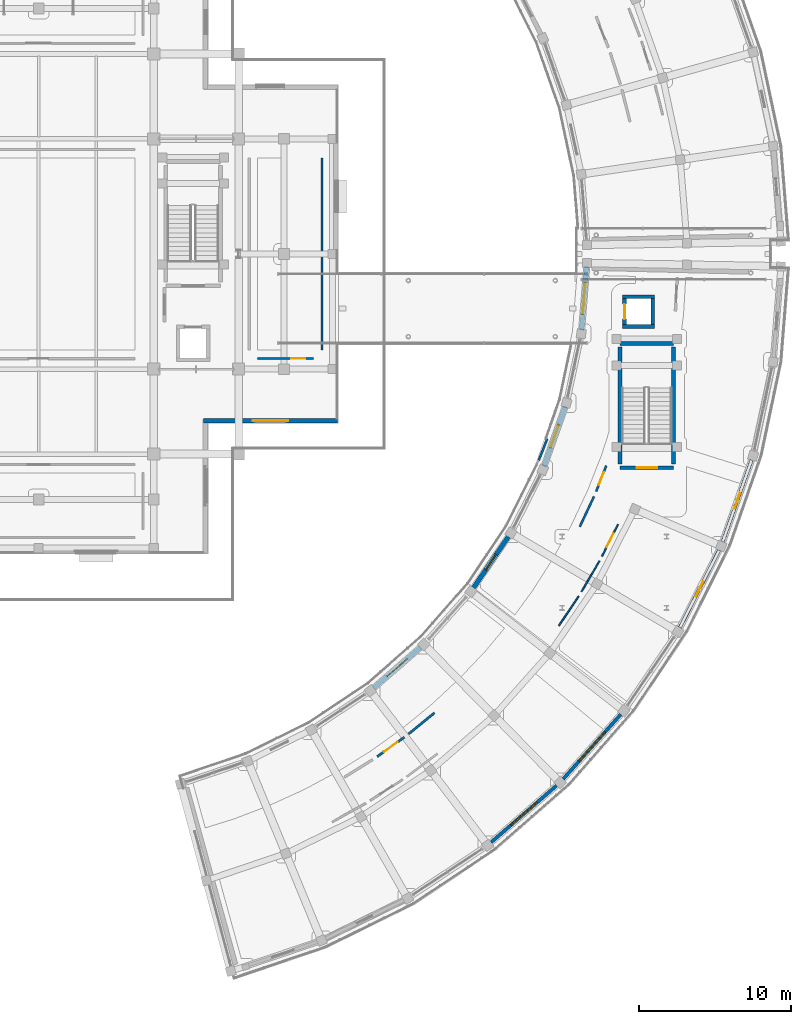
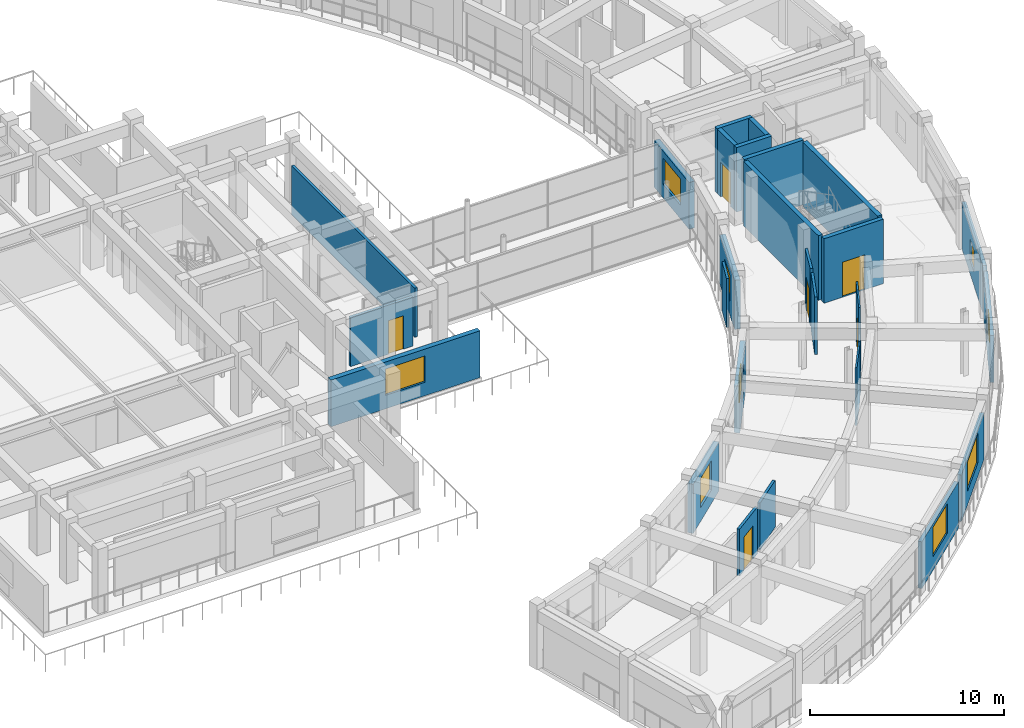
# One storey, part 50 of 72: 27 walls, 9 windows, 6 doors, 15 openings.
"""IFC4 building model written with IfcOpenShell, lengths in metres."""

import ifcopenshell
import ifcopenshell.guid

model = None  # the IFC model being written
_history = None  # IfcOwnerHistory: only IFC2X3 demands one
_inside = {}  # id of a spatial element -> (the spatial element, [elements in it])
_under = {}  # id of a project, library or spatial element -> (it, [spatial elements below it])
_declared = {}  # id of a project -> (the project, [libraries it declares])
_typed = {}  # id of a type object -> (the type object, [elements of that type])
_made_of = {}  # id of a material, layer set ... -> (it, [elements and type objects made of it])


def new_model(schema):
    """Start an empty IFC model of exactly this schema.

    Asked for "IFC4X3", IfcOpenShell would pick the latest addendum, in which some entities
    have other attributes; the version numbers below select the first issue.
    IFC2X3 requires an IfcOwnerHistory on every rooted entity: one is made here for all.
    """
    global model, _history
    if schema == "IFC4X3":
        model = ifcopenshell.file(schema_version=(4, 3, 0, 0))
    else:
        model = ifcopenshell.file(schema=schema)
    _inside.clear()
    _under.clear()
    _declared.clear()
    _typed.clear()
    _made_of.clear()
    _history = None
    if model.schema == "IFC2X3":
        org = make("IfcOrganization", Name="unknown")
        user = make(
            "IfcPersonAndOrganization",
            ThePerson=make("IfcPerson", FamilyName="unknown"),
            TheOrganization=org,
        )
        app = make(
            "IfcApplication",
            ApplicationDeveloper=org,
            Version="unknown",
            ApplicationFullName="unknown",
            ApplicationIdentifier="unknown",
        )
        _history = make(
            "IfcOwnerHistory",
            OwningUser=user,
            OwningApplication=app,
            ChangeAction="ADDED",
            CreationDate=0,
        )
    return model


def make(cls, **values):
    """One entity of the class cls with the attributes given. An attribute that is None is left unset."""
    return model.create_entity(
        cls, **{name: value for name, value in values.items() if value is not None}
    )


def rooted(cls, **values):
    """An entity with a GlobalId (a new one), such as an element, a storey or a relation."""
    return make(cls, GlobalId=ifcopenshell.guid.new(), OwnerHistory=_history, **values)


def si_unit(unit_type, name, prefix=None):
    """IfcSIUnit, for example si_unit("LENGTHUNIT", "METRE", prefix="MILLI")."""
    return make("IfcSIUnit", UnitType=unit_type, Prefix=prefix, Name=name)


def assignment(units):
    """IfcUnitAssignment: the units of a project."""
    return None if units is None else make("IfcUnitAssignment", Units=units)


def point(xyz):
    """IfcCartesianPoint."""
    return None if xyz is None else make("IfcCartesianPoint", Coordinates=xyz)


def direction(xyz):
    """IfcDirection."""
    return None if xyz is None else make("IfcDirection", DirectionRatios=xyz)


def frame(location, z_axis=None, x_axis=None):
    """IfcAxis2Placement3D, a coordinate frame: its origin and axes. An axis left out is left unset."""
    return make(
        "IfcAxis2Placement3D",
        Location=point(location),
        Axis=direction(z_axis),
        RefDirection=direction(x_axis),
    )


def frame_2d(location, x_axis=None):
    """IfcAxis2Placement2D, a coordinate frame in the plane: its origin and x axis."""
    return make(
        "IfcAxis2Placement2D", Location=point(location), RefDirection=direction(x_axis)
    )


def origin():
    """The frame at (0, 0, 0) with its axes left unset."""
    return frame((0.0, 0.0, 0.0))


def place(relative_to, where):
    """IfcLocalPlacement: puts the frame where relative to a parent placement (None: the world)."""
    return make(
        "IfcLocalPlacement", PlacementRelTo=relative_to, RelativePlacement=where
    )


def context(
    kind, dimensions, precision=None, world=None, true_north=None, identifier=None
):
    """IfcGeometricRepresentationContext, for example the 3D "Model" context."""
    return make(
        "IfcGeometricRepresentationContext",
        ContextIdentifier=identifier,
        ContextType=kind,
        CoordinateSpaceDimension=dimensions,
        Precision=precision,
        WorldCoordinateSystem=world,
        TrueNorth=true_north,
    )


def subcontext(parent, identifier, kind, view, scale=None):
    """IfcGeometricRepresentationSubContext, for example "Body" below "Model"."""
    return make(
        "IfcGeometricRepresentationSubContext",
        ContextIdentifier=identifier,
        ContextType=kind,
        ParentContext=parent,
        TargetScale=scale,
        TargetView=view,
    )


def project(units=None, contexts=None):
    """IfcProject with its units and contexts."""
    return rooted(
        "IfcProject",
        Name="project",
        RepresentationContexts=contexts,
        UnitsInContext=assignment(units),
    )


def spatial(cls, under=None, at=None, **own):
    """A site, building, storey or space (cls), placed at a placement, below another one or the project."""
    s = rooted(cls, ObjectPlacement=at, **own)
    if under is not None:
        _under.setdefault(under.id(), (under, []))[1].append(s)
    return s


def profile(cls, at=None, kind="AREA", **sizes):
    """A parametric profile (cls). Its sizes go by their IFC names, for example OverallWidth=200.0."""
    return make(cls, ProfileType=kind, Position=at, **sizes)


def rectangle(**sizes):
    """IfcRectangleProfileDef."""
    return profile("IfcRectangleProfileDef", **sizes)


def extrude(swept, where, along, depth):
    """IfcExtrudedAreaSolid: the profile swept, set in the frame where, extruded along a direction by depth."""
    return make(
        "IfcExtrudedAreaSolid",
        SweptArea=swept,
        Position=where,
        ExtrudedDirection=direction(along),
        Depth=depth,
    )


def shape(context_of_items, identifier, shape_type, items):
    """IfcShapeRepresentation: the items that make up one representation, for example the "Body"."""
    return make(
        "IfcShapeRepresentation",
        ContextOfItems=context_of_items,
        RepresentationIdentifier=identifier,
        RepresentationType=shape_type,
        Items=items,
    )


def material(Name=None, Category=None):
    """IfcMaterial."""
    return make("IfcMaterial", Name=Name, Category=Category)


def layer(
    of_material, thickness, ventilated=None, Name=None, Category=None, Priority=None
):
    """IfcMaterialLayer: one layer of a wall or slab, of a material (None: an air gap)."""
    return make(
        "IfcMaterialLayer",
        Material=of_material,
        LayerThickness=thickness,
        IsVentilated=ventilated,
        Name=Name,
        Category=Category,
        Priority=Priority,
    )


def layer_set(layers, Name=None):
    """IfcMaterialLayerSet."""
    return make("IfcMaterialLayerSet", MaterialLayers=layers, LayerSetName=Name)


def made_of(thing, what):
    """Note that an element or type object is made of a material, layer set ...; save() writes the relation."""
    if what is not None:
        _made_of.setdefault(what.id(), (what, []))[1].append(thing)
    return thing


def type_object(cls, material=None, **own):
    """A type object (cls), such as IfcWallType, which elements share."""
    return made_of(rooted(cls, **own), material)


def element(
    cls,
    number,
    at=None,
    inside=None,
    cuts=None,
    type_object=None,
    material=None,
    context=None,
    identifier="Body",
    shape_type=None,
    held_by="IfcProductDefinitionShape",
    body=None,
    shapes=None,
    **own,
):
    """One element of the class cls, such as IfcWall. Its Tag is "e" and its number.

    at: its placement. inside: the storey or other place that contains it. cuts: it is an
    opening in that element (IfcRelVoidsElement). A single representation is given by context,
    identifier, shape_type and body (its items); several are given by shapes. held_by: the class
    of the entity that holds the representations. save() writes the other relations.
    """
    e = rooted(cls, Tag="e%d" % number, ObjectPlacement=at, **own)
    if body is not None:
        shapes = [shape(context, identifier, shape_type, body)]
    if shapes is not None:
        e.Representation = make(held_by, Representations=shapes)
    if inside is not None:
        _inside.setdefault(inside.id(), (inside, []))[1].append(e)
    if cuts is not None:
        rooted(
            "IfcRelVoidsElement", RelatingBuildingElement=cuts, RelatedOpeningElement=e
        )
    if type_object is not None:
        _typed.setdefault(type_object.id(), (type_object, []))[1].append(e)
    return made_of(e, material)


def fill(opening, filler):
    """IfcRelFillsElement: the door or window that sits in an opening."""
    return rooted(
        "IfcRelFillsElement",
        RelatingOpeningElement=opening,
        RelatedBuildingElement=filler,
    )


def aggregate(whole, parts):
    """IfcRelAggregates: a whole, such as a stair, and the parts it consists of."""
    return rooted("IfcRelAggregates", RelatingObject=whole, RelatedObjects=parts)


def save(model, path):
    """Write the relations noted so far, then the file.

    IfcRelAggregates (storeys below a building ...), IfcRelContainedInSpatialStructure (elements
    in a storey), IfcRelDefinesByType, IfcRelAssociatesMaterial and IfcRelDeclares: one each for
    every whole, place, type object, material and project.
    """
    for whole, parts in _under.values():
        aggregate(whole, parts)
    for where, things in _inside.values():
        rooted(
            "IfcRelContainedInSpatialStructure",
            RelatedElements=things,
            RelatingStructure=where,
        )
    for kind, things in _typed.values():
        rooted("IfcRelDefinesByType", RelatedObjects=things, RelatingType=kind)
    for what, things in _made_of.values():
        rooted("IfcRelAssociatesMaterial", RelatedObjects=things, RelatingMaterial=what)
    for by, libraries in _declared.values():
        rooted("IfcRelDeclares", RelatingContext=by, RelatedDefinitions=libraries)
    model.write(path)


model = new_model("IFC4")

# Units and contexts
model_context = context("Model", 3, precision=1e-05, world=origin(), true_north=direction((0.0, 1.0)))
body_context = subcontext(model_context, "Body", "Model", "MODEL_VIEW")
ifc_project = project(units=[si_unit("LENGTHUNIT", "METRE"), si_unit("AREAUNIT", "SQUARE_METRE"), si_unit("VOLUMEUNIT", "CUBIC_METRE"), si_unit("PLANEANGLEUNIT", "RADIAN"), si_unit("MASSUNIT", "GRAM", prefix="KILO")], contexts=[model_context])

# Site, building, storey
site_placement = place(None, origin())
site = spatial("IfcSite", under=ifc_project, at=site_placement, CompositionType="ELEMENT")
building_placement = place(site_placement, origin())
building = spatial("IfcBuilding", under=site, at=building_placement, Name="Saryqyr Civic Hall", CompositionType="ELEMENT")
storey_placement = place(building_placement, frame((0.0, 0.0, 17.25)))
storey = spatial("IfcBuildingStorey", under=building, at=storey_placement, Name="L04", CompositionType="ELEMENT", Elevation=17.25)

# Wall, opening, window
ifc_material_1 = material(Name="Precast concrete C40/50", Category="concrete")
ifc_layer_1 = layer(ifc_material_1, 0.219970703125, Name="Precast concrete C40/50")
ifc_layer_set_1 = layer_set([ifc_layer_1], Name="Precast concrete C40/50")
wall_type_1 = type_object("IfcWallType", Name="ENV-WAL-EXT-220", PredefinedType="STANDARD", material=ifc_layer_set_1)
wall_1_placement = place(storey_placement, frame((91.1826171875, 48.9189453125, 0.0), z_axis=(0.0, 0.0, 1.0), x_axis=(-0.755648143479, -0.654977773101, 0.0)))
wall_1 = element("IfcWall", 1, at=wall_1_placement, inside=storey, type_object=wall_type_1, Name="Exterior wall V5-EWO-L04-03", PredefinedType="STANDARD", context=body_context, shape_type="SweptSolid", body=[
    extrude(rectangle(XDim=5.706298828125, YDim=0.219970703125, at=frame_2d((2.85302734375, 0.0))), origin(), (0.0, 0.0, 1.0), 2.93505859375),
])
opening_1_placement = place(wall_1_placement, frame((1.702880859375, 0.0, 0.85009765625)))
opening_1 = element("IfcOpeningElement", 2, at=opening_1_placement, cuts=wall_1, Name="Opening W-29", PredefinedType="OPENING", context=body_context, shape_type="SweptSolid", body=[
    extrude(rectangle(XDim=2.300048828125, YDim=1.85009765625, at=frame_2d((1.14990234375, 0.925048828125))), frame((0.0, 0.119873046875, 0.0), z_axis=(0.0, -1.0, 0.0), x_axis=(1.0, 0.0, 0.0)), (0.0, 0.0, 1.0), 0.239990234375),
])
ifc_material_2 = material(Name="Anodised aluminium and triple low-E glass", Category="aluminium")
window_type_1 = type_object("IfcWindowType", Name="ENV-WIN-W29", PartitioningType="SINGLE_PANEL", PredefinedType="WINDOW", material=ifc_material_2)
window_1_placement = place(opening_1_placement, origin())
window_1 = element("IfcWindow", 3, at=window_1_placement, inside=storey, type_object=window_type_1, Name="Exterior ribbon window V5-L04-03", OverallHeight=1.85009765625, OverallWidth=2.300048828125, PartitioningType="SINGLE_PANEL", PredefinedType="WINDOW", context=body_context, shape_type="SweptSolid", body=[
    extrude(rectangle(XDim=2.300048828125, YDim=1.85009765625, at=frame_2d((1.14990234375, 0.925048828125))), frame((0.0, 0.030029296875, 0.0), z_axis=(0.0, -1.0, 0.0), x_axis=(1.0, 0.0, 0.0)), (0.0, 0.0, 1.0), 0.06005859375),
])
fill(opening_1, window_1)

wall_2_placement = place(storey_placement, frame((95.41650390625, 53.614501953125, 0.0), z_axis=(0.0, 0.0, 1.0), x_axis=(-0.6649220167, -0.746912787217, 0.0)))
wall_2 = element("IfcWall", 4, at=wall_2_placement, inside=storey, type_object=wall_type_1, Name="Exterior wall V5-EWO-L04-04", PredefinedType="STANDARD", context=body_context, shape_type="SweptSolid", body=[
    extrude(rectangle(XDim=5.69921875, YDim=0.219970703125, at=frame_2d((2.849609375, 0.0))), origin(), (0.0, 0.0, 1.0), 2.93505859375),
])
opening_2_placement = place(wall_2_placement, frame((1.550048828125, 0.0, 0.85009765625)))
opening_2 = element("IfcOpeningElement", 5, at=opening_2_placement, cuts=wall_2, Name="Opening W-30", PredefinedType="OPENING", context=body_context, shape_type="SweptSolid", body=[
    extrude(rectangle(XDim=2.60009765625, YDim=1.85009765625, at=frame_2d((1.300048828125, 0.925048828125))), frame((0.0, 0.119873046875, 0.0), z_axis=(0.0, -1.0, 0.0), x_axis=(1.0, 0.0, 0.0)), (0.0, 0.0, 1.0), 0.239990234375),
])
window_type_2 = type_object("IfcWindowType", Name="ENV-WIN-W30", PartitioningType="SINGLE_PANEL", PredefinedType="WINDOW", material=ifc_material_2)
window_2_placement = place(opening_2_placement, origin())
window_2 = element("IfcWindow", 6, at=window_2_placement, inside=storey, type_object=window_type_2, Name="Exterior ribbon window V5-L04-04", OverallHeight=1.85009765625, OverallWidth=2.60009765625, PartitioningType="SINGLE_PANEL", PredefinedType="WINDOW", context=body_context, shape_type="SweptSolid", body=[
    extrude(rectangle(XDim=2.60009765625, YDim=1.85009765625, at=frame_2d((1.300048828125, 0.925048828125))), frame((0.0, 0.030029296875, 0.0), z_axis=(0.0, -1.0, 0.0), x_axis=(1.0, 0.0, 0.0)), (0.0, 0.0, 1.0), 0.06005859375),
])
fill(opening_2, window_2)

wall_3_placement = place(storey_placement, frame((101.930419921875, 64.489501953125, 0.0), z_axis=(0.0, 0.0, 1.0), x_axis=(-0.451920591159, -0.892058170349, 0.0)))
wall_3 = element("IfcWall", 7, at=wall_3_placement, inside=storey, type_object=wall_type_1, Name="Exterior wall V5-EWO-L04-06", PredefinedType="STANDARD", context=body_context, shape_type="SweptSolid", body=[
    extrude(rectangle(XDim=5.801513671875, YDim=0.219970703125, at=frame_2d((2.90087890625, 0.0))), origin(), (0.0, 0.0, 1.0), 2.93505859375),
])
opening_3_placement = place(wall_3_placement, frame((2.35107421875, 0.0, 0.85009765625)))
opening_3 = element("IfcOpeningElement", 8, at=opening_3_placement, cuts=wall_3, Name="Opening W-01", PredefinedType="OPENING", context=body_context, shape_type="SweptSolid", body=[
    extrude(rectangle(XDim=1.10009765625, YDim=1.35009765625, at=frame_2d((0.550048828125, 0.675048828125))), frame((0.0, 0.119873046875, 0.0), z_axis=(0.0, -1.0, 0.0), x_axis=(1.0, 0.0, 0.0)), (0.0, 0.0, 1.0), 0.239990234375),
])
window_type_3 = type_object("IfcWindowType", Name="ENV-WIN-W01", PartitioningType="SINGLE_PANEL", PredefinedType="WINDOW", material=ifc_material_2)
window_3_placement = place(opening_3_placement, origin())
window_3 = element("IfcWindow", 9, at=window_3_placement, inside=storey, type_object=window_type_3, Name="Exterior ribbon window V5-L04-06", OverallHeight=1.35009765625, OverallWidth=1.10009765625, PartitioningType="SINGLE_PANEL", PredefinedType="WINDOW", context=body_context, shape_type="SweptSolid", body=[
    extrude(rectangle(XDim=1.10009765625, YDim=1.35009765625, at=frame_2d((0.550048828125, 0.675048828125))), frame((0.0, 0.030029296875, 0.0), z_axis=(0.0, -1.0, 0.0), x_axis=(1.0, 0.0, 0.0)), (0.0, 0.0, 1.0), 0.06005859375),
])
fill(opening_3, window_3)

wall_4_placement = place(storey_placement, frame((104.074951171875, 70.456298828125, 0.0), z_axis=(0.0, 0.0, 1.0), x_axis=(-0.333212182882, -0.942851865978, 0.0)))
wall_4 = element("IfcWall", 10, at=wall_4_placement, inside=storey, type_object=wall_type_1, Name="Exterior wall V5-EWO-L04-07", PredefinedType="STANDARD", context=body_context, shape_type="SweptSolid", body=[
    extrude(rectangle(XDim=5.830078125, YDim=0.219970703125, at=frame_2d((2.9150390625, 0.0))), origin(), (0.0, 0.0, 1.0), 2.93505859375),
])
opening_4_placement = place(wall_4_placement, frame((2.364990234375, 0.0, 0.85009765625)))
opening_4 = element("IfcOpeningElement", 11, at=opening_4_placement, cuts=wall_4, Name="Opening W-01", PredefinedType="OPENING", context=body_context, shape_type="SweptSolid", body=[
    extrude(rectangle(XDim=1.10009765625, YDim=1.35009765625, at=frame_2d((0.550048828125, 0.675048828125))), frame((0.0, 0.119873046875, 0.0), z_axis=(0.0, -1.0, 0.0), x_axis=(1.0, 0.0, 0.0)), (0.0, 0.0, 1.0), 0.239990234375),
])
window_4_placement = place(opening_4_placement, origin())
window_4 = element("IfcWindow", 12, at=window_4_placement, inside=storey, type_object=window_type_3, Name="Exterior ribbon window V5-L04-07", OverallHeight=1.35009765625, OverallWidth=1.10009765625, PartitioningType="SINGLE_PANEL", PredefinedType="WINDOW", context=body_context, shape_type="SweptSolid", body=[
    extrude(rectangle(XDim=1.10009765625, YDim=1.35009765625, at=frame_2d((0.550048828125, 0.675048828125))), frame((0.0, 0.030029296875, 0.0), z_axis=(0.0, -1.0, 0.0), x_axis=(1.0, 0.0, 0.0)), (0.0, 0.0, 1.0), 0.06005859375),
])
fill(opening_4, window_4)

ifc_layer_2 = layer(ifc_material_1, 0.2900390625, Name="Precast concrete C40/50")
ifc_layer_set_2 = layer_set([ifc_layer_2], Name="Precast concrete C40/50")
wall_type_2 = type_object("IfcWallType", Name="ENV-WAL-EXT-290", PredefinedType="STANDARD", material=ifc_layer_set_2)
wall_5_placement = place(storey_placement, frame((76.719970703125, 73.0, 0.0), z_axis=(0.0, 0.0, 1.0), x_axis=(-1.0, 0.0, 0.0)))
wall_5 = element("IfcWall", 13, at=wall_5_placement, inside=storey, type_object=wall_type_2, Name="Exterior wall V1-EW-L04-09", PredefinedType="STANDARD", context=body_context, shape_type="SweptSolid", body=[
    extrude(rectangle(XDim=8.840087890625, YDim=0.2900390625, at=frame_2d((4.419921875, 0.0))), origin(), (0.0, 0.0, 1.0), 2.93505859375),
])
opening_5_placement = place(wall_5_placement, frame((3.2451171875, 0.0, 0.85009765625)))
opening_5 = element("IfcOpeningElement", 14, at=opening_5_placement, cuts=wall_5, Name="Opening W-22", PredefinedType="OPENING", context=body_context, shape_type="SweptSolid", body=[
    extrude(rectangle(XDim=2.35009765625, YDim=1.64990234375, at=frame_2d((1.175048828125, 0.824951171875))), frame((0.0, 0.155029296875, 0.0), z_axis=(0.0, -1.0, 0.0), x_axis=(1.0, 0.0, 0.0)), (0.0, 0.0, 1.0), 0.31005859375),
])
window_type_4 = type_object("IfcWindowType", Name="ENV-WIN-W22", PartitioningType="SINGLE_PANEL", PredefinedType="WINDOW", material=ifc_material_2)
window_5_placement = place(opening_5_placement, origin())
window_5 = element("IfcWindow", 15, at=window_5_placement, inside=storey, type_object=window_type_4, Name="Chamber cluster window L04-09", OverallHeight=1.64990234375, OverallWidth=2.35009765625, PartitioningType="SINGLE_PANEL", PredefinedType="WINDOW", context=body_context, shape_type="SweptSolid", body=[
    extrude(rectangle(XDim=2.35009765625, YDim=1.64990234375, at=frame_2d((1.175048828125, 0.824951171875))), frame((0.0, 0.030029296875, 0.0), z_axis=(0.0, -1.0, 0.0), x_axis=(1.0, 0.0, 0.0)), (0.0, 0.0, 1.0), 0.06005859375),
])
fill(opening_5, window_5)

ifc_layer_3 = layer(ifc_material_1, 0.31005859375, Name="Precast concrete C40/50")
ifc_layer_set_3 = layer_set([ifc_layer_3], Name="Precast concrete C40/50")
wall_type_3 = type_object("IfcWallType", Name="ENV-WAL-EXT-310", PredefinedType="STANDARD", material=ifc_layer_set_3)
wall_6_placement = place(storey_placement, frame((79.12890625, 55.375, 0.0), z_axis=(0.0, 0.0, 1.0), x_axis=(0.755665234257, 0.654958054943, 0.0)))
wall_6 = element("IfcWall", 16, at=wall_6_placement, inside=storey, type_object=wall_type_3, Name="Exterior wall V5-EWI-L04-03", PredefinedType="STANDARD", context=body_context, shape_type="SweptSolid", body=[
    extrude(rectangle(XDim=4.053466796875, YDim=0.31005859375, at=frame_2d((2.02685546875, 0.0))), origin(), (0.0, 0.0, 1.0), 3.0849609375),
])
opening_6_placement = place(wall_6_placement, frame((1.152099609375, 0.0, 0.85009765625)))
opening_6 = element("IfcOpeningElement", 17, at=opening_6_placement, cuts=wall_6, Name="Opening W-27", PredefinedType="OPENING", context=body_context, shape_type="SweptSolid", body=[
    extrude(rectangle(XDim=1.75, YDim=1.85009765625, at=frame_2d((0.875, 0.925048828125))), frame((0.0, 0.1650390625, 0.0), z_axis=(0.0, -1.0, 0.0), x_axis=(1.0, 0.0, 0.0)), (0.0, 0.0, 1.0), 0.330078125),
])
window_type_5 = type_object("IfcWindowType", Name="ENV-WIN-W27", PartitioningType="SINGLE_PANEL", PredefinedType="WINDOW", material=ifc_material_2)
window_6_placement = place(opening_6_placement, origin())
window_6 = element("IfcWindow", 18, at=window_6_placement, inside=storey, type_object=window_type_5, Name="Courtyard window V5-L04-03", OverallHeight=1.85009765625, OverallWidth=1.75, PartitioningType="SINGLE_PANEL", PredefinedType="WINDOW", context=body_context, shape_type="SweptSolid", body=[
    extrude(rectangle(XDim=1.75, YDim=1.85009765625, at=frame_2d((0.875, 0.925048828125))), frame((0.0, 0.030029296875, 0.0), z_axis=(0.0, -1.0, 0.0), x_axis=(1.0, 0.0, 0.0)), (0.0, 0.0, 1.0), 0.06005859375),
])
fill(opening_6, window_6)

wall_7_placement = place(storey_placement, frame((85.69580078125, 61.96044921875, 0.0), z_axis=(0.0, 0.0, 1.0), x_axis=(0.56312281457, 0.826373218171, 0.0)))
wall_7 = element("IfcWall", 19, at=wall_7_placement, inside=storey, type_object=wall_type_3, Name="Exterior wall V5-EWI-L04-05", PredefinedType="STANDARD", context=body_context, shape_type="SweptSolid", body=[
    extrude(rectangle(XDim=4.1064453125, YDim=0.31005859375, at=frame_2d((2.05322265625, 0.0))), origin(), (0.0, 0.0, 1.0), 2.93505859375),
])
opening_7_placement = place(wall_7_placement, frame((1.452880859375, 0.0, 0.85009765625)))
opening_7 = element("IfcOpeningElement", 20, at=opening_7_placement, cuts=wall_7, Name="Opening W-17", PredefinedType="OPENING", context=body_context, shape_type="SweptSolid", body=[
    extrude(rectangle(XDim=1.199951171875, YDim=1.64990234375, at=frame_2d((0.60009765625, 0.824951171875))), frame((0.0, 0.1650390625, 0.0), z_axis=(0.0, -1.0, 0.0), x_axis=(1.0, 0.0, 0.0)), (0.0, 0.0, 1.0), 0.330078125),
])
window_type_6 = type_object("IfcWindowType", Name="ENV-WIN-W17", PartitioningType="SINGLE_PANEL", PredefinedType="WINDOW", material=ifc_material_2)
window_7_placement = place(opening_7_placement, origin())
window_7 = element("IfcWindow", 21, at=window_7_placement, inside=storey, type_object=window_type_6, Name="Courtyard window V5-L04-05", OverallHeight=1.64990234375, OverallWidth=1.199951171875, PartitioningType="SINGLE_PANEL", PredefinedType="WINDOW", context=body_context, shape_type="SweptSolid", body=[
    extrude(rectangle(XDim=1.199951171875, YDim=1.64990234375, at=frame_2d((0.60009765625, 0.824951171875))), frame((0.0, 0.030029296875, 0.0), z_axis=(0.0, -1.0, 0.0), x_axis=(1.0, 0.0, 0.0)), (0.0, 0.0, 1.0), 0.06005859375),
])
fill(opening_7, window_7)

wall_8_placement = place(storey_placement, frame((90.364501953125, 69.99462890625, 0.0), z_axis=(0.0, 0.0, 1.0), x_axis=(0.333168640656, 0.942867253055, 0.0)))
wall_8 = element("IfcWall", 22, at=wall_8_placement, inside=storey, type_object=wall_type_3, Name="Exterior wall V5-EWI-L04-07", PredefinedType="STANDARD", context=body_context, shape_type="SweptSolid", body=[
    extrude(rectangle(XDim=4.1767578125, YDim=0.31005859375, at=frame_2d((2.08837890625, 0.0))), origin(), (0.0, 0.0, 1.0), 3.0849609375),
])
opening_8_placement = place(wall_8_placement, frame((1.2880859375, 0.0, 0.85009765625)))
opening_8 = element("IfcOpeningElement", 23, at=opening_8_placement, cuts=wall_8, Name="Opening W-19", PredefinedType="OPENING", context=body_context, shape_type="SweptSolid", body=[
    extrude(rectangle(XDim=1.60009765625, YDim=1.64990234375, at=frame_2d((0.800048828125, 0.824951171875))), frame((0.0, 0.1650390625, 0.0), z_axis=(0.0, -1.0, 0.0), x_axis=(1.0, 0.0, 0.0)), (0.0, 0.0, 1.0), 0.330078125),
])
window_type_7 = type_object("IfcWindowType", Name="ENV-WIN-W19", PartitioningType="SINGLE_PANEL", PredefinedType="WINDOW", material=ifc_material_2)
window_8_placement = place(opening_8_placement, origin())
window_8 = element("IfcWindow", 24, at=window_8_placement, inside=storey, type_object=window_type_7, Name="Courtyard window V5-L04-07", OverallHeight=1.64990234375, OverallWidth=1.60009765625, PartitioningType="SINGLE_PANEL", PredefinedType="WINDOW", context=body_context, shape_type="SweptSolid", body=[
    extrude(rectangle(XDim=1.60009765625, YDim=1.64990234375, at=frame_2d((0.800048828125, 0.824951171875))), frame((0.0, 0.030029296875, 0.0), z_axis=(0.0, -1.0, 0.0), x_axis=(1.0, 0.0, 0.0)), (0.0, 0.0, 1.0), 0.06005859375),
])
fill(opening_8, window_8)

wall_9_placement = place(storey_placement, frame((92.8349609375, 78.974853515625, 0.0), z_axis=(0.0, 0.0, 1.0), x_axis=(0.081074723481, 0.99670802606, 0.0)))
wall_9 = element("IfcWall", 25, at=wall_9_placement, inside=storey, type_object=wall_type_3, Name="Exterior wall V5-EWI-L04-09", PredefinedType="STANDARD", context=body_context, shape_type="SweptSolid", body=[
    extrude(rectangle(XDim=4.203857421875, YDim=0.31005859375, at=frame_2d((2.10205078125, 0.0))), origin(), (0.0, 0.0, 1.0), 2.93505859375),
])
opening_9_placement = place(wall_9_placement, frame((1.052001953125, 0.0, 0.85009765625)))
opening_9 = element("IfcOpeningElement", 26, at=opening_9_placement, cuts=wall_9, Name="Opening W-21", PredefinedType="OPENING", context=body_context, shape_type="SweptSolid", body=[
    extrude(rectangle(XDim=2.10009765625, YDim=1.64990234375, at=frame_2d((1.050048828125, 0.824951171875))), frame((0.0, 0.1650390625, 0.0), z_axis=(0.0, -1.0, 0.0), x_axis=(1.0, 0.0, 0.0)), (0.0, 0.0, 1.0), 0.330078125),
])
window_type_8 = type_object("IfcWindowType", Name="ENV-WIN-W21", PartitioningType="SINGLE_PANEL", PredefinedType="WINDOW", material=ifc_material_2)
window_9_placement = place(opening_9_placement, origin())
window_9 = element("IfcWindow", 27, at=window_9_placement, inside=storey, type_object=window_type_8, Name="Courtyard window V5-L04-09", OverallHeight=1.64990234375, OverallWidth=2.10009765625, PartitioningType="SINGLE_PANEL", PredefinedType="WINDOW", context=body_context, shape_type="SweptSolid", body=[
    extrude(rectangle(XDim=2.10009765625, YDim=1.64990234375, at=frame_2d((1.050048828125, 0.824951171875))), frame((0.0, 0.030029296875, 0.0), z_axis=(0.0, -1.0, 0.0), x_axis=(1.0, 0.0, 0.0)), (0.0, 0.0, 1.0), 0.06005859375),
])
fill(opening_9, window_9)

# Wall
ifc_material_3 = material(Name="Lightweight demountable partition", Category="gypsum")
ifc_layer_4 = layer(ifc_material_3, 0.094970703125, Name="Lightweight demountable partition")
ifc_layer_set_4 = layer_set([ifc_layer_4], Name="Lightweight demountable partition")
wall_type_4 = type_object("IfcWallType", Name="INT-WAL-PRT-095", PredefinedType="PARTITIONING", material=ifc_layer_set_4)
wall_10_placement = place(storey_placement, frame((92.83349609375, 61.720947265625, 0.0), z_axis=(0.0, 0.0, 1.0), x_axis=(0.504228203008, 0.863570448366, 0.0)))
element("IfcWall", 28, at=wall_10_placement, inside=storey, type_object=wall_type_4, Name="Interior partition PRT-SP-V5-L04-R02-W1", PredefinedType="PARTITIONING", context=body_context, shape_type="SweptSolid", body=[
    extrude(rectangle(XDim=2.337158203125, YDim=0.094970703125, at=frame_2d((1.16845703125, 0.0))), origin(), (0.0, 0.0, 1.0), 2.93505859375),
])

# Wall, opening, door
wall_11_placement = place(storey_placement, frame((94.18359375, 64.0556640625, 0.0), z_axis=(0.0, 0.0, 1.0), x_axis=(0.448049117921, 0.894008941751, 0.0)))
wall_11 = element("IfcWall", 29, at=wall_11_placement, inside=storey, type_object=wall_type_4, Name="Interior partition PRT-SP-V5-L04-R02-W2", PredefinedType="PARTITIONING", context=body_context, shape_type="SweptSolid", body=[
    extrude(rectangle(XDim=2.337158203125, YDim=0.094970703125, at=frame_2d((1.16845703125, 0.0))), origin(), (0.0, 0.0, 1.0), 3.6201171875),
])
opening_10_placement = place(wall_11_placement, frame((0.6689453125, 0.0, 0.0)))
opening_10 = element("IfcOpeningElement", 30, at=opening_10_placement, cuts=wall_11, Name="Opening D-03", PredefinedType="OPENING", context=body_context, shape_type="SweptSolid", body=[
    extrude(rectangle(XDim=1.0, YDim=2.10009765625, at=frame_2d((0.5, 1.050048828125))), frame((0.0, 0.057373046875, 0.0), z_axis=(0.0, -1.0, 0.0), x_axis=(1.0, 0.0, 0.0)), (0.0, 0.0, 1.0), 0.114990234375),
])
ifc_material_4 = material(Name="Acoustic solid-core oak veneer", Category="wood")
door_type_1 = type_object("IfcDoorType", Name="INT-DR-D-03", OperationType="NOTDEFINED", PredefinedType="DOOR", material=ifc_material_4)
door_1_placement = place(opening_10_placement, origin())
door_1 = element("IfcDoor", 31, at=door_1_placement, inside=storey, type_object=door_type_1, Name="Interior door District Utilities & Seismic Directorate", OperationType="SINGLE_SWING_RIGHT", OverallHeight=2.10009765625, OverallWidth=1.0, PredefinedType="DOOR", context=body_context, shape_type="SweptSolid", body=[
    extrude(rectangle(XDim=1.0, YDim=2.10009765625, at=frame_2d((0.5, 1.050048828125))), frame((0.0, 0.02490234375, 0.0), z_axis=(0.0, -1.0, 0.0), x_axis=(1.0, 0.0, 0.0)), (0.0, 0.0, 1.0), 0.050048828125),
])
fill(opening_10, door_1)

# Wall
wall_12_placement = place(storey_placement, frame((91.337158203125, 59.4775390625, 0.0), z_axis=(0.0, 0.0, 1.0), x_axis=(0.558383281721, 0.829583094508, 0.0)))
element("IfcWall", 32, at=wall_12_placement, inside=storey, type_object=wall_type_4, Name="Interior partition PRT-SP-V5-L04-R02-W3", PredefinedType="PARTITIONING", context=body_context, shape_type="SweptSolid", body=[
    extrude(rectangle(XDim=2.3369140625, YDim=0.094970703125, at=frame_2d((1.16845703125, 0.0))), origin(), (0.0, 0.0, 1.0), 3.6201171875),
])

# Wall, opening, door
ifc_material_5 = material(Name="Metal-stud gypsum board partition", Category="gypsum")
ifc_layer_5 = layer(ifc_material_5, 0.139892578125, Name="Metal-stud gypsum board partition")
ifc_layer_set_5 = layer_set([ifc_layer_5], Name="Metal-stud gypsum board partition")
wall_type_5 = type_object("IfcWallType", Name="INT-WAL-PRT-140", PredefinedType="PARTITIONING", material=ifc_layer_set_5)
wall_13_placement = place(storey_placement, frame((94.466064453125, 70.029052734375, 0.0), z_axis=(0.0, 0.0, 1.0), x_axis=(-0.366384258343, -0.93046363456, 0.0)))
wall_13 = element("IfcWall", 33, at=wall_13_placement, inside=storey, type_object=wall_type_5, Name="Interior partition PRT-SP-V5-L04-R05-W1", PredefinedType="PARTITIONING", context=body_context, shape_type="SweptSolid", body=[
    extrude(rectangle(XDim=1.826416015625, YDim=0.139892578125, at=frame_2d((0.9130859375, 0.0))), origin(), (0.0, 0.0, 1.0), 3.6201171875),
])
opening_11_placement = place(wall_13_placement, frame((0.462890625, 0.0, 0.0)))
opening_11 = element("IfcOpeningElement", 34, at=opening_11_placement, cuts=wall_13, Name="Opening D-01", PredefinedType="OPENING", context=body_context, shape_type="SweptSolid", body=[
    extrude(rectangle(XDim=0.89990234375, YDim=2.10009765625, at=frame_2d((0.449951171875, 1.050048828125))), frame((0.0, 0.079833984375, 0.0), z_axis=(0.0, -1.0, 0.0), x_axis=(1.0, 0.0, 0.0)), (0.0, 0.0, 1.0), 0.159912109375),
])
door_type_2 = type_object("IfcDoorType", Name="INT-DR-D-01", OperationType="NOTDEFINED", PredefinedType="DOOR", material=ifc_material_4)
door_2_placement = place(opening_11_placement, origin())
door_2 = element("IfcDoor", 35, at=door_2_placement, inside=storey, type_object=door_type_2, Name="Interior door Records & Legislative Clerks' Office", OperationType="SINGLE_SWING_LEFT", OverallHeight=2.10009765625, OverallWidth=0.89990234375, PredefinedType="DOOR", context=body_context, shape_type="SweptSolid", body=[
    extrude(rectangle(XDim=0.89990234375, YDim=2.10009765625, at=frame_2d((0.449951171875, 1.050048828125))), frame((0.0, 0.02490234375, 0.0), z_axis=(0.0, -1.0, 0.0), x_axis=(1.0, 0.0, 0.0)), (0.0, 0.0, 1.0), 0.050048828125),
])
fill(opening_11, door_2)

# Walls
wall_14_placement = place(storey_placement, frame((93.654296875, 67.999267578125, 0.0), z_axis=(0.0, 0.0, 1.0), x_axis=(-0.425026094766, -0.905181097222, 0.0)))
element("IfcWall", 36, at=wall_14_placement, inside=storey, type_object=wall_type_5, Name="Interior partition PRT-SP-V5-L04-R05-W2", PredefinedType="PARTITIONING", context=body_context, shape_type="SweptSolid", body=[
    extrude(rectangle(XDim=2.196533203125, YDim=0.139892578125, at=frame_2d((1.09814453125, 0.0))), origin(), (0.0, 0.0, 1.0), 3.6201171875),
])
wall_15_placement = place(storey_placement, frame((90.002197265625, 70.368408203125, 0.0), z_axis=(0.0, 0.0, 1.0), x_axis=(0.366425549854, 0.930447374339, 0.0)))
element("IfcWall", 37, at=wall_15_placement, inside=storey, type_object=wall_type_5, Name="Interior partition PRT-SP-V5-L04-R05-W3", PredefinedType="PARTITIONING", context=body_context, shape_type="SweptSolid", body=[
    extrude(rectangle(XDim=1.552978515625, YDim=0.139892578125, at=frame_2d((0.7763671875, 0.0))), origin(), (0.0, 0.0, 1.0), 3.0849609375),
])

# Wall, opening, door
ifc_material_6 = material(Name="Acoustic double-stud gypsum board", Category="gypsum")
ifc_layer_6 = layer(ifc_material_6, 0.155029296875, Name="Acoustic double-stud gypsum board")
ifc_layer_set_6 = layer_set([ifc_layer_6], Name="Acoustic double-stud gypsum board")
wall_type_6 = type_object("IfcWallType", Name="INT-WAL-PRT-155", PredefinedType="PARTITIONING", material=ifc_layer_set_6)
wall_16_placement = place(storey_placement, frame((81.134765625, 52.108154296875, 0.0), z_axis=(0.0, 0.0, 1.0), x_axis=(-0.813695920366, -0.581290761305, 0.0)))
wall_16 = element("IfcWall", 38, at=wall_16_placement, inside=storey, type_object=wall_type_6, Name="Interior partition PRT-SP-V5-L04-R04-W1", PredefinedType="PARTITIONING", context=body_context, shape_type="SweptSolid", body=[
    extrude(rectangle(XDim=2.196533203125, YDim=0.155029296875, at=frame_2d((1.09814453125, 0.0))), origin(), (0.0, 0.0, 1.0), 2.93505859375),
])
opening_12_placement = place(wall_16_placement, frame((0.548095703125, 0.0, 0.0)))
opening_12 = element("IfcOpeningElement", 39, at=opening_12_placement, cuts=wall_16, Name="Opening D-05", PredefinedType="OPENING", context=body_context, shape_type="SweptSolid", body=[
    extrude(rectangle(XDim=1.10009765625, YDim=2.10009765625, at=frame_2d((0.550048828125, 1.050048828125))), frame((0.0, 0.08740234375, 0.0), z_axis=(0.0, -1.0, 0.0), x_axis=(1.0, 0.0, 0.0)), (0.0, 0.0, 1.0), 0.175048828125),
])
door_type_3 = type_object("IfcDoorType", Name="INT-DR-D-05", OperationType="NOTDEFINED", PredefinedType="DOOR", material=ifc_material_4)
door_3_placement = place(opening_12_placement, origin())
door_3 = element("IfcDoor", 40, at=door_3_placement, inside=storey, type_object=door_type_3, Name="Interior door Standing Committee Room 6 (Infrastructure)", OperationType="SINGLE_SWING_RIGHT", OverallHeight=2.10009765625, OverallWidth=1.10009765625, PredefinedType="DOOR", context=body_context, shape_type="SweptSolid", body=[
    extrude(rectangle(XDim=1.10009765625, YDim=2.10009765625, at=frame_2d((0.550048828125, 1.050048828125))), frame((0.0, 0.02490234375, 0.0), z_axis=(0.0, -1.0, 0.0), x_axis=(1.0, 0.0, 0.0)), (0.0, 0.0, 1.0), 0.050048828125),
])
fill(opening_12, door_3)

# Wall
wall_17_placement = place(storey_placement, frame((83.12255859375, 53.715087890625, 0.0), z_axis=(0.0, 0.0, 1.0), x_axis=(-0.77485785692, -0.632135508866, 0.0)))
element("IfcWall", 41, at=wall_17_placement, inside=storey, type_object=wall_type_6, Name="Interior partition PRT-SP-V5-L04-R04-W3", PredefinedType="PARTITIONING", context=body_context, shape_type="SweptSolid", body=[
    extrude(rectangle(XDim=2.1962890625, YDim=0.155029296875, at=frame_2d((1.09814453125, 0.0))), origin(), (0.0, 0.0, 1.0), 2.93505859375),
])

# Wall, opening, door
wall_18_placement = place(storey_placement, frame((75.14990234375, 77.10009765625, 0.0), z_axis=(0.0, 0.0, 1.0), x_axis=(-1.0, 0.0, 0.0)))
wall_18 = element("IfcWall", 42, at=wall_18_placement, inside=storey, type_object=wall_type_6, Name="Interior partition PRT-SP-V1-L04-R05-W1", PredefinedType="PARTITIONING", context=body_context, shape_type="SweptSolid", body=[
    extrude(rectangle(XDim=3.699951171875, YDim=0.155029296875, at=frame_2d((1.85009765625, 0.0))), origin(), (0.0, 0.0, 1.0), 3.0849609375),
])
opening_13_placement = place(wall_18_placement, frame((0.56005859375, 0.0, 0.0)))
opening_13 = element("IfcOpeningElement", 43, at=opening_13_placement, cuts=wall_18, Name="Opening D-01", PredefinedType="OPENING", context=body_context, shape_type="SweptSolid", body=[
    extrude(rectangle(XDim=0.89990234375, YDim=2.10009765625, at=frame_2d((0.449951171875, 1.050048828125))), frame((0.0, 0.08740234375, 0.0), z_axis=(0.0, -1.0, 0.0), x_axis=(1.0, 0.0, 0.0)), (0.0, 0.0, 1.0), 0.175048828125),
])
door_4_placement = place(opening_13_placement, origin())
door_4 = element("IfcDoor", 44, at=door_4_placement, inside=storey, type_object=door_type_2, Name="Interior door Members' Pantry & Accessible MGN WC L04", OperationType="SINGLE_SWING_RIGHT", OverallHeight=2.10009765625, OverallWidth=0.89990234375, PredefinedType="DOOR", context=body_context, shape_type="SweptSolid", body=[
    extrude(rectangle(XDim=0.89990234375, YDim=2.10009765625, at=frame_2d((0.449951171875, 1.050048828125))), frame((0.0, 0.02490234375, 0.0), z_axis=(0.0, -1.0, 0.0), x_axis=(1.0, 0.0, 0.0)), (0.0, 0.0, 1.0), 0.050048828125),
])
fill(opening_13, door_4)

# Walls
wall_19_placement = place(storey_placement, frame((75.699951171875, 90.35009765625, 0.0), z_axis=(0.0, 0.0, 1.0), x_axis=(0.0, -1.0, 0.0)))
element("IfcWall", 45, at=wall_19_placement, inside=storey, type_object=wall_type_6, Name="Interior partition PRT-SP-V1-L04-R05-W3", PredefinedType="PARTITIONING", context=body_context, shape_type="SweptSolid", body=[
    extrude(rectangle(XDim=12.7001953125, YDim=0.155029296875, at=frame_2d((6.35009765625, 0.0))), origin(), (0.0, 0.0, 1.0), 3.0849609375),
])
ifc_material_7 = material(Name="Concrete C40/50", Category="concrete")
ifc_layer_7 = layer(ifc_material_7, 0.239990234375, Name="Concrete C40/50")
ifc_layer_set_7 = layer_set([ifc_layer_7], Name="Concrete C40/50")
wall_type_7 = type_object("IfcWallType", Name="INT-WAL-SHR-240", PredefinedType="SHEAR", material=ifc_layer_set_7)
wall_20_placement = place(storey_placement, frame((97.64990234375, 79.219970703125, 0.0), z_axis=(0.0, 0.0, 1.0), x_axis=(-1.0, 0.0, 0.0)))
element("IfcWall", 46, at=wall_20_placement, inside=storey, type_object=wall_type_7, Name="Lift shaft shear wall LF-07-SHW-S-L04", PredefinedType="SHEAR", context=body_context, shape_type="SweptSolid", body=[
    extrude(rectangle(XDim=2.099853515625, YDim=0.239990234375, at=frame_2d((1.0498046875, 0.0))), origin(), (0.0, 0.0, 1.0), 4.050048828125),
])
wall_21_placement = place(storey_placement, frame((97.530029296875, 81.06005859375, 0.0), z_axis=(0.0, 0.0, 1.0), x_axis=(0.0, -1.0, 0.0)))
element("IfcWall", 47, at=wall_21_placement, inside=storey, type_object=wall_type_7, Name="Lift shaft shear wall LF-07-SHW-E-L04", PredefinedType="SHEAR", context=body_context, shape_type="SweptSolid", body=[
    extrude(rectangle(XDim=1.719970703125, YDim=0.239990234375, at=frame_2d((0.85986328125, 0.0))), origin(), (0.0, 0.0, 1.0), 4.050048828125),
])
wall_22_placement = place(storey_placement, frame((95.550048828125, 81.179931640625, 0.0), z_axis=(0.0, 0.0, 1.0), x_axis=(1.0, 0.0, 0.0)))
element("IfcWall", 48, at=wall_22_placement, inside=storey, type_object=wall_type_7, Name="Lift shaft shear wall LF-07-SHW-N-L04", PredefinedType="SHEAR", context=body_context, shape_type="SweptSolid", body=[
    extrude(rectangle(XDim=2.099853515625, YDim=0.239990234375, at=frame_2d((1.0498046875, 0.0))), origin(), (0.0, 0.0, 1.0), 4.050048828125),
])

# Wall, opening, door
wall_23_placement = place(storey_placement, frame((95.669921875, 79.340087890625, 0.0), z_axis=(0.0, 0.0, 1.0), x_axis=(0.0, 1.0, 0.0)))
wall_23 = element("IfcWall", 49, at=wall_23_placement, inside=storey, type_object=wall_type_7, Name="Lift shaft shear wall LF-07-SHW-W-L04", PredefinedType="SHEAR", context=body_context, shape_type="SweptSolid", body=[
    extrude(rectangle(XDim=1.719970703125, YDim=0.239990234375, at=frame_2d((0.85986328125, 0.0))), origin(), (0.0, 0.0, 1.0), 4.050048828125),
])
opening_14_placement = place(wall_23_placement, frame((0.360107421875, 0.0, 0.0)))
opening_14 = element("IfcOpeningElement", 50, at=opening_14_placement, cuts=wall_23, Name="Opening LD-02", PredefinedType="OPENING", context=body_context, shape_type="SweptSolid", body=[
    extrude(rectangle(XDim=1.0, YDim=2.14990234375, at=frame_2d((0.5, 1.074951171875))), frame((0.0, 0.1298828125, 0.0), z_axis=(0.0, -1.0, 0.0), x_axis=(1.0, 0.0, 0.0)), (0.0, 0.0, 1.0), 0.260009765625),
])
ifc_material_8 = material(Name="Brushed stainless steel", Category="steel")
door_type_4 = type_object("IfcDoorType", Name="INT-DR-LD-1000x2150", OperationType="NOTDEFINED", PredefinedType="DOOR", material=ifc_material_8)
door_5_placement = place(opening_14_placement, origin())
door_5 = element("IfcDoor", 51, at=door_5_placement, inside=storey, type_object=door_type_4, Name="Lift sliding landing door LF-07 L04", OperationType="SLIDING_TO_LEFT", OverallHeight=2.14990234375, OverallWidth=1.0, PredefinedType="DOOR", context=body_context, shape_type="SweptSolid", body=[
    extrude(rectangle(XDim=1.0, YDim=2.14990234375, at=frame_2d((0.5, 1.074951171875))), frame((0.0, 0.02490234375, 0.0), z_axis=(0.0, -1.0, 0.0), x_axis=(1.0, 0.0, 0.0)), (0.0, 0.0, 1.0), 0.050048828125),
])
fill(opening_14, door_5)

ifc_layer_8 = layer(ifc_material_7, 0.25, Name="Concrete C40/50")
ifc_layer_set_8 = layer_set([ifc_layer_8], Name="Concrete C40/50")
wall_type_8 = type_object("IfcWallType", Name="INT-WAL-SHR-250", PredefinedType="SHEAR", material=ifc_layer_set_8)
wall_24_placement = place(storey_placement, frame((98.89990234375, 69.89990234375, 0.0), z_axis=(0.0, 0.0, 1.0), x_axis=(-1.0, 0.0, 0.0)))
wall_24 = element("IfcWall", 52, at=wall_24_placement, inside=storey, type_object=wall_type_8, Name="Protected stair shaft wall ST-5-SW1-L04", PredefinedType="SHEAR", context=body_context, shape_type="SweptSolid", body=[
    extrude(rectangle(XDim=3.52001953125, YDim=0.25, at=frame_2d((1.760009765625, 0.0))), origin(), (0.0, 0.0, 1.0), 4.050048828125),
])
opening_15_placement = place(wall_24_placement, frame((1.0849609375, 0.0, 0.0)))
opening_15 = element("IfcOpeningElement", 53, at=opening_15_placement, cuts=wall_24, Name="Opening SD-01", PredefinedType="OPENING", context=body_context, shape_type="SweptSolid", body=[
    extrude(rectangle(XDim=1.35009765625, YDim=2.199951171875, at=frame_2d((0.675048828125, 1.10009765625))), frame((0.0, 0.135009765625, 0.0), z_axis=(0.0, -1.0, 0.0), x_axis=(1.0, 0.0, 0.0)), (0.0, 0.0, 1.0), 0.27001953125),
])
ifc_material_9 = material(Name="Painted galvanized steel", Category="steel")
door_type_5 = type_object("IfcDoorType", Name="INT-DR-STAIR-1350x2200", OperationType="NOTDEFINED", PredefinedType="DOOR", material=ifc_material_9)
door_6_placement = place(opening_15_placement, origin())
door_6 = element("IfcDoor", 54, at=door_6_placement, inside=storey, type_object=door_type_5, Name="Exit stair landing fire door ST-5-L04", OperationType="SINGLE_SWING_RIGHT", OverallHeight=2.199951171875, OverallWidth=1.35009765625, PredefinedType="DOOR", context=body_context, shape_type="SweptSolid", body=[
    extrude(rectangle(XDim=1.35009765625, YDim=2.199951171875, at=frame_2d((0.675048828125, 1.10009765625))), frame((0.0, 0.02490234375, 0.0), z_axis=(0.0, -1.0, 0.0), x_axis=(1.0, 0.0, 0.0)), (0.0, 0.0, 1.0), 0.050048828125),
])
fill(opening_15, door_6)

# Walls
wall_25_placement = place(storey_placement, frame((95.3798828125, 70.14990234375, 0.0), z_axis=(0.0, 0.0, 1.0), x_axis=(0.0, 1.0, 0.0)))
element("IfcWall", 55, at=wall_25_placement, inside=storey, type_object=wall_type_8, Name="Protected stair shaft wall ST-5-SW2-L04", PredefinedType="SHEAR", context=body_context, shape_type="SweptSolid", body=[
    extrude(rectangle(XDim=7.7001953125, YDim=0.25, at=frame_2d((3.85009765625, 0.0))), origin(), (0.0, 0.0, 1.0), 4.050048828125),
])
wall_26_placement = place(storey_placement, frame((95.3798828125, 78.10009765625, 0.0), z_axis=(0.0, 0.0, 1.0), x_axis=(1.0, 0.0, 0.0)))
element("IfcWall", 56, at=wall_26_placement, inside=storey, type_object=wall_type_8, Name="Protected stair shaft wall ST-5-SW3-L04", PredefinedType="SHEAR", context=body_context, shape_type="SweptSolid", body=[
    extrude(rectangle(XDim=3.52001953125, YDim=0.25, at=frame_2d((1.760009765625, 0.0))), origin(), (0.0, 0.0, 1.0), 4.050048828125),
])
wall_27_placement = place(storey_placement, frame((98.89990234375, 77.85009765625, 0.0), z_axis=(0.0, 0.0, 1.0), x_axis=(0.0, -1.0, 0.0)))
element("IfcWall", 57, at=wall_27_placement, inside=storey, type_object=wall_type_8, Name="Protected stair shaft wall ST-5-SW4-L04", PredefinedType="SHEAR", context=body_context, shape_type="SweptSolid", body=[
    extrude(rectangle(XDim=7.7001953125, YDim=0.25, at=frame_2d((3.85009765625, 0.0))), origin(), (0.0, 0.0, 1.0), 4.050048828125),
])

save(model, "model.ifc")
